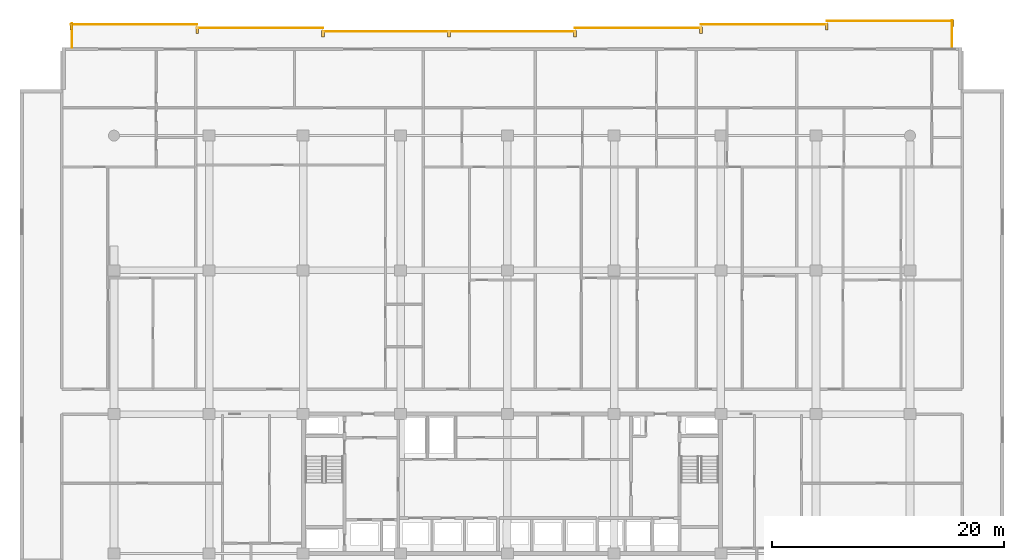
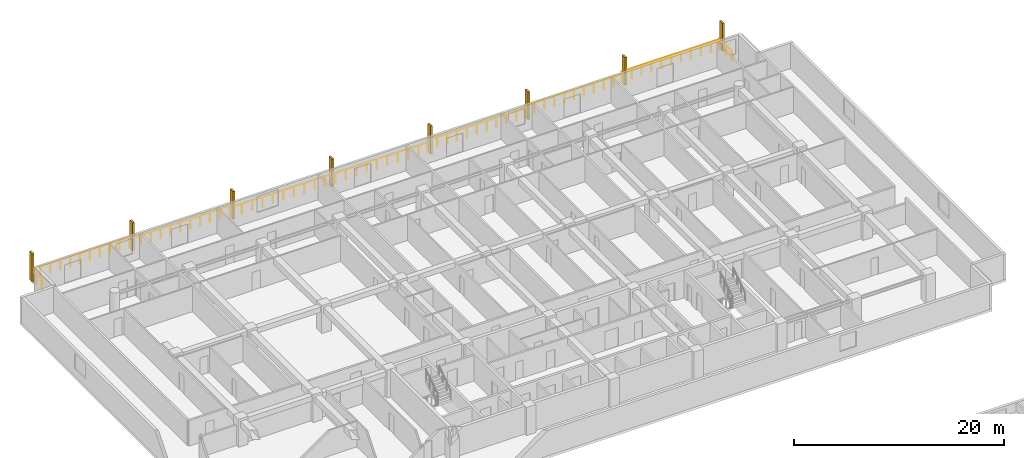
# One storey, part 24 of 24: 8 railings, 8 shading devices.
"""IFC4 building model written with IfcOpenShell, lengths in metres."""

from ifc_helpers import new_model, si_unit, direction, frame, origin, origin_2d, place, context, subcontext, project, spatial, rectangle, circle, extrude, material, type_object, element, save


model = new_model("IFC4")

# Units and contexts
model_context = context("Model", 3, precision=1e-05, world=origin(), true_north=direction((0.0, 1.0)))
body_context = subcontext(model_context, "Body", "Model", "MODEL_VIEW")
ifc_project = project(units=[si_unit("LENGTHUNIT", "METRE"), si_unit("AREAUNIT", "SQUARE_METRE"), si_unit("VOLUMEUNIT", "CUBIC_METRE"), si_unit("PLANEANGLEUNIT", "RADIAN"), si_unit("MASSUNIT", "GRAM", prefix="KILO")], contexts=[model_context])

# Site, building, storey
site_placement = place(None, origin())
site = spatial("IfcSite", under=ifc_project, at=site_placement, CompositionType="ELEMENT")
building_placement = place(site_placement, origin())
building = spatial("IfcBuilding", under=site, at=building_placement, Name="Korimba Cascade Residences", CompositionType="ELEMENT")
storey_placement = place(building_placement, frame((0.0, 0.0, 63.0)))
storey = spatial("IfcBuildingStorey", under=building, at=storey_placement, Name="L17", CompositionType="ELEMENT", Elevation=63.0)

# Railings
ifc_material_1 = material(Name="Laminated Glass and Bronze Balustrade", Category="glass")
railing_type = type_object("IfcRailingType", Name="RLG-LOG-1150", PredefinedType="BALUSTRADE", material=ifc_material_1)
railing_1_placement = place(storey_placement, frame((132.02001953125, 98.800048828125, 0.0)))
element("IfcRailing", 1, at=railing_1_placement, inside=storey, type_object=railing_type, Name="L17 Perimeter Guardrail RLG-L17-T1-LOG-01", PredefinedType="BALUSTRADE", context=body_context, shape_type="SweptSolid", body=[
    extrude(circle(Radius=0.02392578125, at=origin_2d()), frame((0.0, 0.0, 1.1259765625), z_axis=(0.0, 1.0, 0.0), x_axis=(-1.0, 0.0, 0.0)), (0.0, 0.0, 1.0), 2.349853515625),
    extrude(circle(Radius=0.02099609375, at=origin_2d()), origin(), (0.0, 0.0, 1.0), 1.101806640625),
    extrude(circle(Radius=0.02099609375, at=origin_2d()), frame((0.0, 1.1748046875, 0.0)), (0.0, 0.0, 1.0), 1.101806640625),
    extrude(circle(Radius=0.02099609375, at=origin_2d()), frame((0.0, 2.349853515625, 0.0)), (0.0, 0.0, 1.0), 1.101806640625),
])
for number, where, name in (
    (2, (132.10009765625, 101.070068359375, 0.0), "L17 Perimeter Guardrail RLG-L17-T1-LOG-02"),
    (3, (121.242919921875, 100.77001953125, 0.0), "L17 Perimeter Guardrail RLG-L17-T1-LOG-03"),
    (4, (110.3857421875, 100.469970703125, 0.0), "L17 Perimeter Guardrail RLG-L17-T1-LOG-04"),
):
    element("IfcRailing", number, at=place(storey_placement, frame(where)), inside=storey, type_object=railing_type, Name=name, PredefinedType="BALUSTRADE", context=body_context, shape_type="SweptSolid", body=[
        extrude(circle(Radius=0.02392578125, at=origin_2d()), frame((0.0, 0.0, 1.1259765625), z_axis=(-1.0, 0.0, 0.0), x_axis=(0.0, -1.0, 0.0)), (0.0, 0.0, 1.0), 10.857177734375),
        extrude(circle(Radius=0.02099609375, at=origin_2d()), origin(), (0.0, 0.0, 1.0), 1.101806640625),
        extrude(circle(Radius=0.02099609375, at=origin_2d()), frame((-1.085693359375, 0.0, 0.0)), (0.0, 0.0, 1.0), 1.101806640625),
        extrude(circle(Radius=0.02099609375, at=origin_2d()), frame((-2.17138671875, 0.0, 0.0)), (0.0, 0.0, 1.0), 1.101806640625),
        extrude(circle(Radius=0.02099609375, at=origin_2d()), frame((-3.257080078125, 0.0, 0.0)), (0.0, 0.0, 1.0), 1.101806640625),
        extrude(circle(Radius=0.02099609375, at=origin_2d()), frame((-4.3427734375, 0.0, 0.0)), (0.0, 0.0, 1.0), 1.101806640625),
        extrude(circle(Radius=0.02099609375, at=origin_2d()), frame((-5.4287109375, 0.0, 0.0)), (0.0, 0.0, 1.0), 1.101806640625),
        extrude(circle(Radius=0.02099609375, at=origin_2d()), frame((-6.514404296875, 0.0, 0.0)), (0.0, 0.0, 1.0), 1.101806640625),
        extrude(circle(Radius=0.02099609375, at=origin_2d()), frame((-7.60009765625, 0.0, 0.0)), (0.0, 0.0, 1.0), 1.101806640625),
        extrude(circle(Radius=0.02099609375, at=origin_2d()), frame((-8.685791015625, 0.0, 0.0)), (0.0, 0.0, 1.0), 1.101806640625),
        extrude(circle(Radius=0.02099609375, at=origin_2d()), frame((-9.771484375, 0.0, 0.0)), (0.0, 0.0, 1.0), 1.101806640625),
        extrude(circle(Radius=0.02099609375, at=origin_2d()), frame((-10.857177734375, 0.0, 0.0)), (0.0, 0.0, 1.0), 1.101806640625),
    ])
railing_2_placement = place(storey_placement, frame((99.528564453125, 100.169921875, 0.0)))
element("IfcRailing", 5, at=railing_2_placement, inside=storey, type_object=railing_type, Name="L17 Perimeter Guardrail RLG-L17-T1-LOG-05", PredefinedType="BALUSTRADE", context=body_context, shape_type="SweptSolid", body=[
    extrude(circle(Radius=0.02392578125, at=origin_2d()), frame((0.0, 0.0, 1.1259765625), z_axis=(-1.0, 0.0, 0.0), x_axis=(0.0, -1.0, 0.0)), (0.0, 0.0, 1.0), 21.71435546875),
    extrude(circle(Radius=0.02099609375, at=origin_2d()), origin(), (0.0, 0.0, 1.0), 1.101806640625),
    extrude(circle(Radius=0.02099609375, at=origin_2d()), frame((-1.142822265625, 0.0, 0.0)), (0.0, 0.0, 1.0), 1.101806640625),
    extrude(circle(Radius=0.02099609375, at=origin_2d()), frame((-2.28564453125, 0.0, 0.0)), (0.0, 0.0, 1.0), 1.101806640625),
    extrude(circle(Radius=0.02099609375, at=origin_2d()), frame((-3.428466796875, 0.0, 0.0)), (0.0, 0.0, 1.0), 1.101806640625),
    extrude(circle(Radius=0.02099609375, at=origin_2d()), frame((-4.571533203125, 0.0, 0.0)), (0.0, 0.0, 1.0), 1.101806640625),
    extrude(circle(Radius=0.02099609375, at=origin_2d()), frame((-5.71435546875, 0.0, 0.0)), (0.0, 0.0, 1.0), 1.101806640625),
    extrude(circle(Radius=0.02099609375, at=origin_2d()), frame((-6.857177734375, 0.0, 0.0)), (0.0, 0.0, 1.0), 1.101806640625),
    extrude(circle(Radius=0.02099609375, at=origin_2d()), frame((-8.0, 0.0, 0.0)), (0.0, 0.0, 1.0), 1.101806640625),
    extrude(circle(Radius=0.02099609375, at=origin_2d()), frame((-9.142822265625, 0.0, 0.0)), (0.0, 0.0, 1.0), 1.101806640625),
    extrude(circle(Radius=0.02099609375, at=origin_2d()), frame((-10.28564453125, 0.0, 0.0)), (0.0, 0.0, 1.0), 1.101806640625),
    extrude(circle(Radius=0.02099609375, at=origin_2d()), frame((-11.4287109375, 0.0, 0.0)), (0.0, 0.0, 1.0), 1.101806640625),
    extrude(circle(Radius=0.02099609375, at=origin_2d()), frame((-12.571533203125, 0.0, 0.0)), (0.0, 0.0, 1.0), 1.101806640625),
    extrude(circle(Radius=0.02099609375, at=origin_2d()), frame((-13.71435546875, 0.0, 0.0)), (0.0, 0.0, 1.0), 1.101806640625),
    extrude(circle(Radius=0.02099609375, at=origin_2d()), frame((-14.857177734375, 0.0, 0.0)), (0.0, 0.0, 1.0), 1.101806640625),
    extrude(circle(Radius=0.02099609375, at=origin_2d()), frame((-16.0, 0.0, 0.0)), (0.0, 0.0, 1.0), 1.101806640625),
    extrude(circle(Radius=0.02099609375, at=origin_2d()), frame((-17.142822265625, 0.0, 0.0)), (0.0, 0.0, 1.0), 1.101806640625),
    extrude(circle(Radius=0.02099609375, at=origin_2d()), frame((-18.285888671875, 0.0, 0.0)), (0.0, 0.0, 1.0), 1.101806640625),
    extrude(circle(Radius=0.02099609375, at=origin_2d()), frame((-19.4287109375, 0.0, 0.0)), (0.0, 0.0, 1.0), 1.101806640625),
    extrude(circle(Radius=0.02099609375, at=origin_2d()), frame((-20.571533203125, 0.0, 0.0)), (0.0, 0.0, 1.0), 1.101806640625),
    extrude(circle(Radius=0.02099609375, at=origin_2d()), frame((-21.71435546875, 0.0, 0.0)), (0.0, 0.0, 1.0), 1.101806640625),
])
railing_3_placement = place(storey_placement, frame((77.814208984375, 100.469970703125, 0.0)))
element("IfcRailing", 6, at=railing_3_placement, inside=storey, type_object=railing_type, Name="L17 Perimeter Guardrail RLG-L17-T1-LOG-06", PredefinedType="BALUSTRADE", context=body_context, shape_type="SweptSolid", body=[
    extrude(circle(Radius=0.02392578125, at=origin_2d()), frame((0.0, 0.0, 1.1259765625), z_axis=(-1.0, 0.0, 0.0), x_axis=(0.0, -1.0, 0.0)), (0.0, 0.0, 1.0), 10.857177734375),
    extrude(circle(Radius=0.02099609375, at=origin_2d()), origin(), (0.0, 0.0, 1.0), 1.101806640625),
    extrude(circle(Radius=0.02099609375, at=origin_2d()), frame((-1.085693359375, 0.0, 0.0)), (0.0, 0.0, 1.0), 1.101806640625),
    extrude(circle(Radius=0.02099609375, at=origin_2d()), frame((-2.17138671875, 0.0, 0.0)), (0.0, 0.0, 1.0), 1.101806640625),
    extrude(circle(Radius=0.02099609375, at=origin_2d()), frame((-3.257080078125, 0.0, 0.0)), (0.0, 0.0, 1.0), 1.101806640625),
    extrude(circle(Radius=0.02099609375, at=origin_2d()), frame((-4.3427734375, 0.0, 0.0)), (0.0, 0.0, 1.0), 1.101806640625),
    extrude(circle(Radius=0.02099609375, at=origin_2d()), frame((-5.4287109375, 0.0, 0.0)), (0.0, 0.0, 1.0), 1.101806640625),
    extrude(circle(Radius=0.02099609375, at=origin_2d()), frame((-6.514404296875, 0.0, 0.0)), (0.0, 0.0, 1.0), 1.101806640625),
    extrude(circle(Radius=0.02099609375, at=origin_2d()), frame((-7.60009765625, 0.0, 0.0)), (0.0, 0.0, 1.0), 1.101806640625),
    extrude(circle(Radius=0.02099609375, at=origin_2d()), frame((-8.685791015625, 0.0, 0.0)), (0.0, 0.0, 1.0), 1.101806640625),
    extrude(circle(Radius=0.02099609375, at=origin_2d()), frame((-9.771484375, 0.0, 0.0)), (0.0, 0.0, 1.0), 1.101806640625),
    extrude(circle(Radius=0.02099609375, at=origin_2d()), frame((-10.857177734375, 0.0, 0.0)), (0.0, 0.0, 1.0), 1.101806640625),
])
railing_4_placement = place(storey_placement, frame((66.95703125, 100.77001953125, 0.0)))
element("IfcRailing", 7, at=railing_4_placement, inside=storey, type_object=railing_type, Name="L17 Perimeter Guardrail RLG-L17-T1-LOG-07", PredefinedType="BALUSTRADE", context=body_context, shape_type="SweptSolid", body=[
    extrude(circle(Radius=0.02392578125, at=origin_2d()), frame((0.0, 0.0, 1.1259765625), z_axis=(-1.0, 0.0, 0.0), x_axis=(0.0, -1.0, 0.0)), (0.0, 0.0, 1.0), 10.85693359375),
    extrude(circle(Radius=0.02099609375, at=origin_2d()), origin(), (0.0, 0.0, 1.0), 1.101806640625),
    extrude(circle(Radius=0.02099609375, at=origin_2d()), frame((-1.085693359375, 0.0, 0.0)), (0.0, 0.0, 1.0), 1.101806640625),
    extrude(circle(Radius=0.02099609375, at=origin_2d()), frame((-2.17138671875, 0.0, 0.0)), (0.0, 0.0, 1.0), 1.101806640625),
    extrude(circle(Radius=0.02099609375, at=origin_2d()), frame((-3.257080078125, 0.0, 0.0)), (0.0, 0.0, 1.0), 1.101806640625),
    extrude(circle(Radius=0.02099609375, at=origin_2d()), frame((-4.3427734375, 0.0, 0.0)), (0.0, 0.0, 1.0), 1.101806640625),
    extrude(circle(Radius=0.02099609375, at=origin_2d()), frame((-5.428466796875, 0.0, 0.0)), (0.0, 0.0, 1.0), 1.101806640625),
    extrude(circle(Radius=0.02099609375, at=origin_2d()), frame((-6.51416015625, 0.0, 0.0)), (0.0, 0.0, 1.0), 1.101806640625),
    extrude(circle(Radius=0.02099609375, at=origin_2d()), frame((-7.599853515625, 0.0, 0.0)), (0.0, 0.0, 1.0), 1.101806640625),
    extrude(circle(Radius=0.02099609375, at=origin_2d()), frame((-8.685546875, 0.0, 0.0)), (0.0, 0.0, 1.0), 1.101806640625),
    extrude(circle(Radius=0.02099609375, at=origin_2d()), frame((-9.771240234375, 0.0, 0.0)), (0.0, 0.0, 1.0), 1.101806640625),
    extrude(circle(Radius=0.02099609375, at=origin_2d()), frame((-10.85693359375, 0.0, 0.0)), (0.0, 0.0, 1.0), 1.101806640625),
])
railing_5_placement = place(storey_placement, frame((56.179931640625, 100.85009765625, 0.0)))
element("IfcRailing", 8, at=railing_5_placement, inside=storey, type_object=railing_type, Name="L17 Perimeter Guardrail RLG-L17-T1-LOG-08", PredefinedType="BALUSTRADE", context=body_context, shape_type="SweptSolid", body=[
    extrude(circle(Radius=0.02392578125, at=origin_2d()), frame((0.0, 0.0, 1.1259765625), z_axis=(0.0, -1.0, 0.0), x_axis=(1.0, 0.0, 0.0)), (0.0, 0.0, 1.0), 2.050048828125),
    extrude(circle(Radius=0.02099609375, at=origin_2d()), origin(), (0.0, 0.0, 1.0), 1.101806640625),
    extrude(circle(Radius=0.02099609375, at=origin_2d()), frame((0.0, -1.02490234375, 0.0)), (0.0, 0.0, 1.0), 1.101806640625),
    extrude(circle(Radius=0.02099609375, at=origin_2d()), frame((0.0, -2.050048828125, 0.0)), (0.0, 0.0, 1.0), 1.101806640625),
])

# Shading devices
ifc_material_2 = material(Name="Honed Sandstone Precast Fin", Category="masonry")
shading_device_type = type_object("IfcShadingDeviceType", Name="SHD-FIN-550", PredefinedType="USERDEFINED", material=ifc_material_2)
for number, where, z_axis, x_axis, name in (
    (9, (56.10009765625, 100.574951171875, 0.0), (0.0, 0.0, 1.0), (1.0, 0.0, 0.0), "L17 T1 Warm-Stone Loggia Fin 1"),
    (10, (66.95703125, 100.27490234375, 0.0), (0.0, 0.0, 1.0), (1.0, 0.0, 0.0), "L17 T1 Warm-Stone Loggia Fin 2"),
    (11, (77.814208984375, 99.97509765625, 0.0), (0.0, 0.0, 1.0), (1.0, 0.0, 0.0), "L17 T1 Warm-Stone Loggia Fin 3"),
    (12, (88.67138671875, 99.97509765625, 0.0), (0.0, 0.0, 1.0), (1.0, 0.0, 0.0), "L17 T1 Warm-Stone Loggia Fin 4"),
    (13, (99.528564453125, 99.97509765625, 0.0), (0.0, 0.0, 1.0), (1.0, 0.0, 0.0), "L17 T1 Warm-Stone Loggia Fin 5"),
    (14, (110.3857421875, 100.27490234375, 0.0), (0.0, 0.0, 1.0), (1.0, 0.0, 0.0), "L17 T1 Warm-Stone Loggia Fin 6"),
    (15, (121.242919921875, 100.574951171875, 0.0), (0.0, 0.0, 1.0), (1.0, 0.0, 0.0), "L17 T1 Warm-Stone Loggia Fin 7"),
    (16, (132.10009765625, 100.875, 0.0), (0.0, 0.0, 1.0), (1.0, 0.0, 0.0), "L17 T1 Warm-Stone Loggia Fin 8"),
):
    element("IfcShadingDevice", number, at=place(storey_placement, frame(where, z_axis=z_axis, x_axis=x_axis)), inside=storey, type_object=shading_device_type, Name=name, ObjectType="FIN", PredefinedType="USERDEFINED", context=body_context, shape_type="SweptSolid", body=[
        extrude(rectangle(XDim=0.219970703125, YDim=0.550048828125, at=origin_2d()), origin(), (0.0, 0.0, 1.0), 3.25),
    ])

save(model, "model.ifc")
